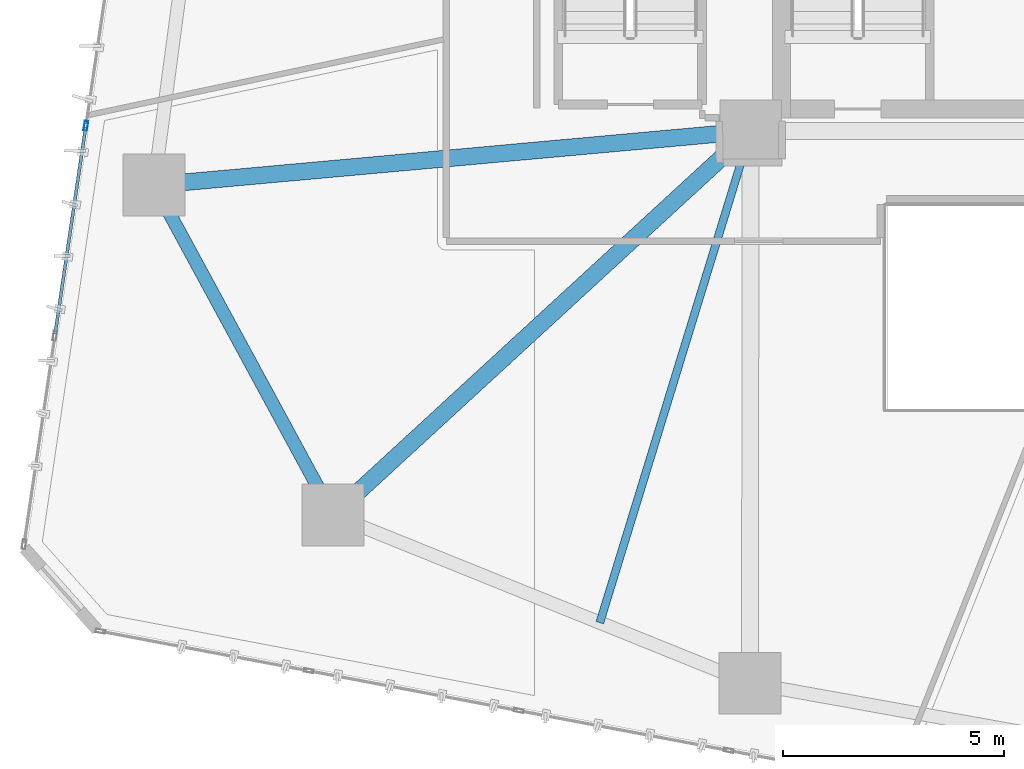
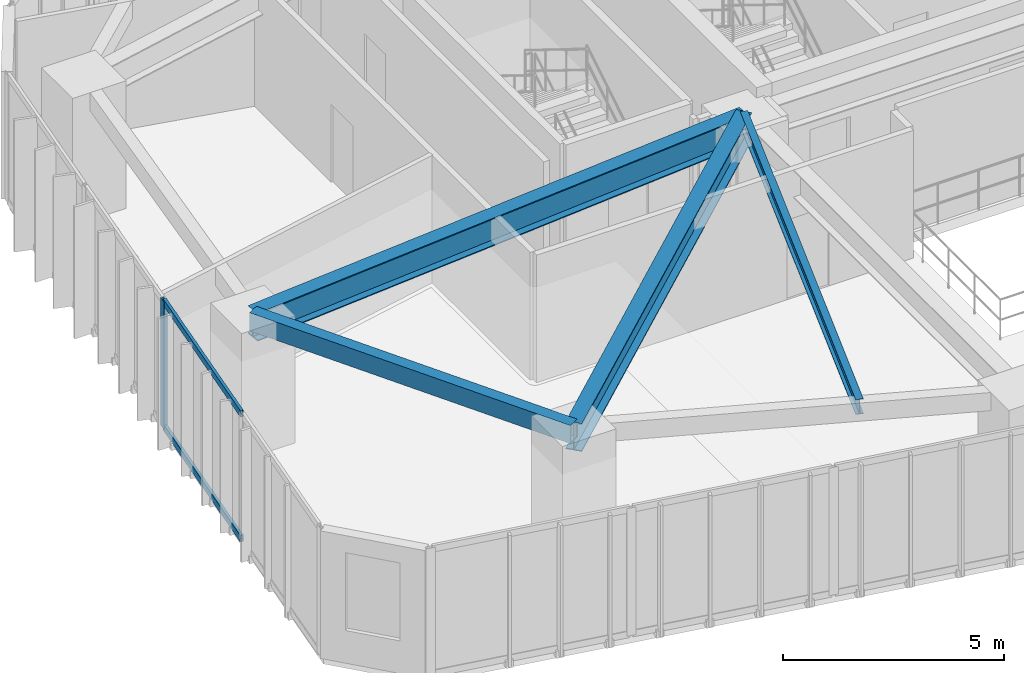
# One storey, part 3 of 20: 4 beams, 3 members, 1 element without a shape of its own.
"""IFC4 building model written with IfcOpenShell, lengths in metres."""

from ifc_helpers import new_model, si_unit, direction, frame, origin, origin_2d, place, context, subcontext, project, spatial, hollow_rectangle, i_section, extrude, source, transform, mapped, material, layer, layer_set, material_profile, profile_set, type_object, type_shapes, element, aggregate, save


model = new_model("IFC4")

# Units and contexts
model_context = context("Model", 3, precision=1e-05, world=origin(), true_north=direction((0.0, 1.0)))
body_context = subcontext(model_context, "Body", "Model", "MODEL_VIEW")
ifc_project = project(units=[si_unit("LENGTHUNIT", "METRE"), si_unit("AREAUNIT", "SQUARE_METRE"), si_unit("VOLUMEUNIT", "CUBIC_METRE"), si_unit("PLANEANGLEUNIT", "RADIAN"), si_unit("MASSUNIT", "GRAM", prefix="KILO")], contexts=[model_context])

# Site, building, storey
site_placement = place(None, origin())
site = spatial("IfcSite", under=ifc_project, at=site_placement, CompositionType="ELEMENT")
building_placement = place(site_placement, origin())
building = spatial("IfcBuilding", under=site, at=building_placement, Name="Talar Marvaseh", CompositionType="ELEMENT")
storey_placement = place(building_placement, frame((0.0, 0.0, 58.199951171875)))
storey = spatial("IfcBuildingStorey", under=building, at=storey_placement, Name="L14", CompositionType="ELEMENT", Elevation=58.199951171875)

# Beams
ifc_material_1 = material(Name="Steel S355", Category="steel")
ifc_material_profile_1 = material_profile(ifc_material_1, hollow_rectangle(XDim=0.300048828125, YDim=0.5, WallThickness=0.02001953125, at=origin_2d()), Name="RHS500x300x20")
ifc_profile_set_1 = profile_set([ifc_material_profile_1], Name="Steel S355")
beam_type_1 = type_object("IfcBeamType", Name="Zone 1 Perimeter Spandrel Beam RHS500x300x20", PredefinedType="SPANDREL", material=ifc_profile_set_1)
beam_1_placement = place(storey_placement, frame((9.23193359375, 16.7958984375, 3.27001953125), z_axis=(-0.476758155578, 0.879034505062, 0.0), x_axis=(-0.879034505062, -0.476758155578, 0.0)))
element("IfcBeam", 1, at=beam_1_placement, inside=storey, type_object=beam_type_1, Name="L14 Zone 1 Perimeter Spandrel Beam RHS500x300x20", PredefinedType="SPANDREL", context=body_context, shape_type="SweptSolid", body=[
    extrude(hollow_rectangle(XDim=0.300048828125, YDim=0.5, WallThickness=0.02001953125, at=origin_2d()), origin(), (0.0, 0.0, 1.0), 8.50927734375),
])
ifc_material_profile_2 = material_profile(ifc_material_1, i_section(OverallWidth=0.381103515625, OverallDepth=0.77294921875, WebThickness=0.0166015625, FlangeThickness=0.027099609375, at=origin_2d()), Name="W760x257")
ifc_profile_set_2 = profile_set([ifc_material_profile_2], Name="Steel S355")
beam_type_2 = type_object("IfcBeamType", Name="Zone 1 Radial Floor Girder W760x257", PredefinedType="BEAM", material=ifc_profile_set_2)
beam_2_placement = place(storey_placement, frame((9.23193359375, 16.7958984375, 3.133544921875), z_axis=(0.736181804049, 0.676783829142, 0.0), x_axis=(-0.676783829142, 0.736181804049, 0.0)))
element("IfcBeam", 2, at=beam_2_placement, inside=storey, type_object=beam_type_2, Name="L14 Zone 1 Radial Floor Girder W760x257", PredefinedType="BEAM", context=body_context, shape_type="SweptSolid", body=[
    extrude(i_section(OverallWidth=0.381103515625, OverallDepth=0.77294921875, WebThickness=0.0166015625, FlangeThickness=0.027099609375, at=origin_2d()), origin(), (0.0, 0.0, 1.0), 12.861083984375),
])
beam_3_placement = place(storey_placement, frame((5.175048828125, 24.27587890625, 3.133544921875), z_axis=(0.995929083348, 0.090140229321, 0.0), x_axis=(-0.090140229321, 0.995929083348, 0.0)))
element("IfcBeam", 3, at=beam_3_placement, inside=storey, type_object=beam_type_2, Name="L14 Zone 1 Radial Floor Girder W760x257", PredefinedType="BEAM", context=body_context, shape_type="SweptSolid", body=[
    extrude(i_section(OverallWidth=0.381103515625, OverallDepth=0.77294921875, WebThickness=0.0166015625, FlangeThickness=0.027099609375, at=origin_2d()), origin(), (0.0, 0.0, 1.0), 13.580078125),
])
ifc_material_profile_3 = material_profile(ifc_material_1, i_section(OverallWidth=0.179931640625, OverallDepth=0.4130859375, WebThickness=0.009765625, FlangeThickness=0.01611328125, at=origin_2d()), Name="W410x75")
ifc_profile_set_3 = profile_set([ifc_material_profile_3], Name="Steel S355")
beam_type_3 = type_object("IfcBeamType", Name="Zone 1 Secondary Floor Joist W410x75", PredefinedType="JOIST", material=ifc_profile_set_3)
beam_4_placement = place(storey_placement, frame((15.280517578125, 14.35302734375, 3.3134765625), z_axis=(0.293270595159, 0.956029475495, 0.0), x_axis=(-0.956029475495, 0.293270595159, 0.0)))
element("IfcBeam", 4, at=beam_4_placement, inside=storey, type_object=beam_type_3, Name="L14 Zone 1 Secondary Floor Joist W410x75", PredefinedType="JOIST", context=body_context, shape_type="SweptSolid", body=[
    extrude(i_section(OverallWidth=0.179931640625, OverallDepth=0.4130859375, WebThickness=0.009765625, FlangeThickness=0.01611328125, at=origin_2d()), origin(), (0.0, 0.0, 1.0), 11.65966796875),
])

# Curtain wall, members
ifc_material_2 = material(Name="Architectural Aluminium", Category="aluminium")
ifc_layer = layer(ifc_material_2, 0.219970703125)
ifc_layer_set = layer_set([ifc_layer], Name="Architectural Aluminium")
curtain_wall_type = type_object("IfcCurtainWallType", Name="Unitised Low-E Museum Curtain Wall Z1", PredefinedType="NOTDEFINED", material=ifc_layer_set)
curtain_wall_placement = place(storey_placement, origin())
curtain_wall = element("IfcCurtainWall", 5, at=curtain_wall_placement, inside=storey, type_object=curtain_wall_type, Name="L14 Unitised Low-E Museum Curtain Wall Z1", PredefinedType="NOTDEFINED")
ifc_material_profile_4 = material_profile(ifc_material_2, hollow_rectangle(XDim=0.080078125, YDim=0.219970703125, WallThickness=0.0048828125, at=origin_2d()), Name="RHS220x80x5")
ifc_profile_set_4 = profile_set([ifc_material_profile_4], Name="Architectural Aluminium")
member_type_1 = type_object("IfcMemberType", Name="Unitised Curtain Wall Heavy Mullion RHS220x80x5", PredefinedType="MULLION", material=ifc_profile_set_4)
shared_shape_1 = source(origin(), body_context, "Body", "SweptSolid", [
    extrude(hollow_rectangle(XDim=0.080078125, YDim=0.219970703125, WallThickness=0.0048828125, at=origin_2d()), origin(), (0.0, 0.0, 1.0), 3.52001953125),
])
type_shapes(member_type_1, [shared_shape_1])
member_1_placement = place(storey_placement, frame((3.63037109375, 25.6201171875, 0.0), z_axis=(0.0, 0.0, 1.0), x_axis=(-0.989262405953, 0.146150238347, 0.0)))
member_1 = element("IfcMember", 6, at=member_1_placement, type_object=member_type_1, Name="CW-Z1 mullion 3", PredefinedType="MULLION", context=body_context, shape_type="MappedRepresentation", body=[
    mapped(shared_shape_1, transform((0.0, 0.0, 0.0), x_axis=(1.0, 0.0, 0.0), y_axis=(0.0, 1.0, 0.0), z_axis=(0.0, 0.0, 1.0), scale=1.0)),
])
ifc_material_profile_5 = material_profile(ifc_material_2, hollow_rectangle(XDim=0.074951171875, YDim=0.179931640625, WallThickness=0.0048828125, at=origin_2d()), Name="RHS180x75x5")
ifc_profile_set_5 = profile_set([ifc_material_profile_5], Name="Architectural Aluminium")
member_type_2 = type_object("IfcMemberType", Name="Unitised Curtain Wall Transom RHS180x75x5", PredefinedType="USERDEFINED", material=ifc_profile_set_5)
shared_shape_2 = source(origin(), body_context, "Body", "SweptSolid", [
    extrude(hollow_rectangle(XDim=0.074951171875, YDim=0.179931640625, WallThickness=0.0048828125, at=origin_2d()), origin(), (0.0, 0.0, 1.0), 4.736328125),
])
type_shapes(member_type_2, [shared_shape_2])
member_2_placement = place(storey_placement, frame((2.932373046875, 20.894775390625, 0.03759765625), z_axis=(0.146132061967, 0.989265091098, 0.0), x_axis=(-0.989265091098, 0.146132061967, 0.0)))
member_2 = element("IfcMember", 7, at=member_2_placement, type_object=member_type_2, Name="CW-Z1 transom 2.1", ObjectType="TRANSOM", PredefinedType="USERDEFINED", context=body_context, shape_type="MappedRepresentation", body=[
    mapped(shared_shape_2, transform((0.0, 0.0, 0.0), x_axis=(1.0, 0.0, 0.0), y_axis=(0.0, 1.0, 0.0), z_axis=(0.0, 0.0, 1.0), scale=1.0)),
])
member_3_placement = place(storey_placement, frame((2.932373046875, 20.894775390625, 3.482666015625), z_axis=(0.146132061967, 0.989265091098, 0.0), x_axis=(-0.989265091098, 0.146132061967, 0.0)))
member_3 = element("IfcMember", 8, at=member_3_placement, type_object=member_type_2, Name="CW-Z1 transom 2.2", ObjectType="TRANSOM", PredefinedType="USERDEFINED", context=body_context, shape_type="MappedRepresentation", body=[
    mapped(shared_shape_2, transform((0.0, 0.0, 0.0), x_axis=(1.0, 0.0, 0.0), y_axis=(0.0, 1.0, 0.0), z_axis=(0.0, 0.0, 1.0), scale=1.0)),
])
aggregate(curtain_wall, [member_1, member_2, member_3])

save(model, "model.ifc")
